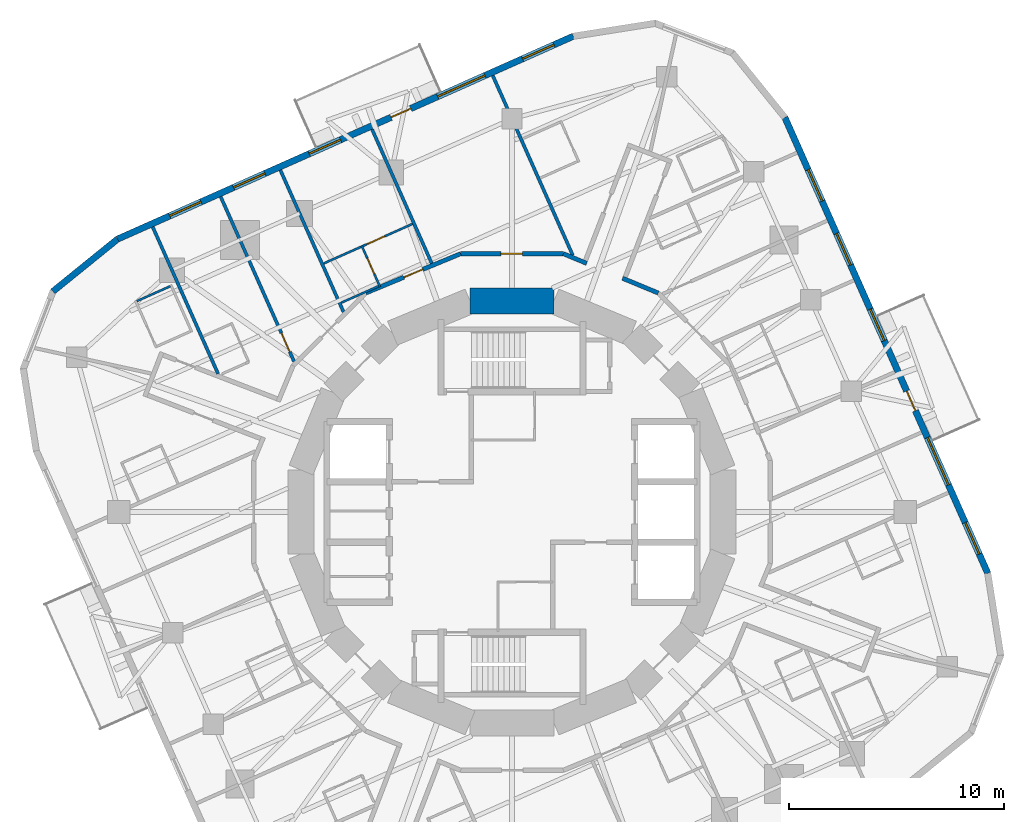
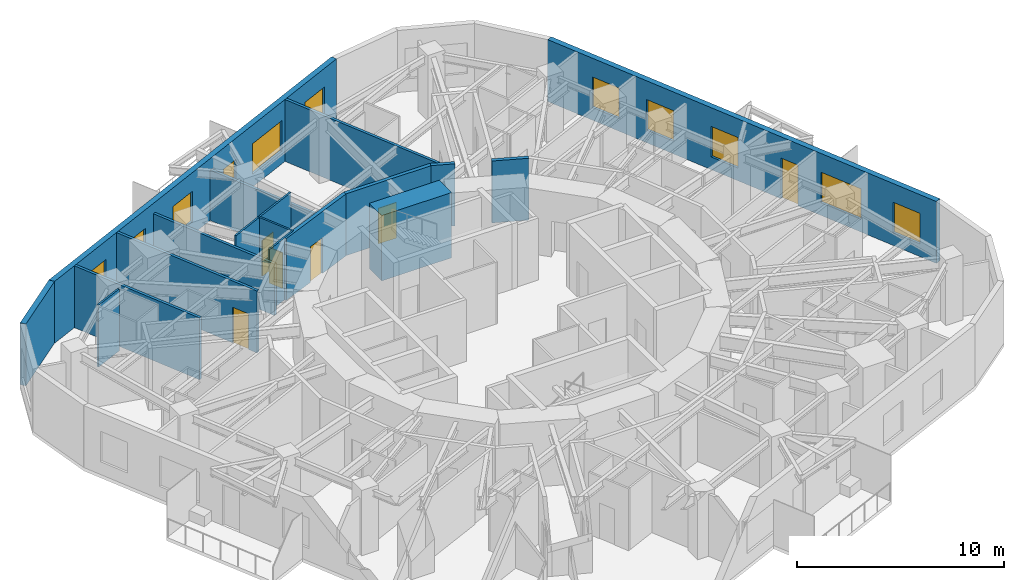
# One storey, part 9 of 12: 18 walls, 10 windows, 7 doors, 17 openings.
"""IFC4 building model written with IfcOpenShell, lengths in metres."""

import ifcopenshell
import ifcopenshell.guid

model = None  # the IFC model being written
_history = None  # IfcOwnerHistory: only IFC2X3 demands one
_inside = {}  # id of a spatial element -> (the spatial element, [elements in it])
_under = {}  # id of a project, library or spatial element -> (it, [spatial elements below it])
_declared = {}  # id of a project -> (the project, [libraries it declares])
_typed = {}  # id of a type object -> (the type object, [elements of that type])
_made_of = {}  # id of a material, layer set ... -> (it, [elements and type objects made of it])


def new_model(schema):
    """Start an empty IFC model of exactly this schema.

    Asked for "IFC4X3", IfcOpenShell would pick the latest addendum, in which some entities
    have other attributes; the version numbers below select the first issue.
    IFC2X3 requires an IfcOwnerHistory on every rooted entity: one is made here for all.
    """
    global model, _history
    if schema == "IFC4X3":
        model = ifcopenshell.file(schema_version=(4, 3, 0, 0))
    else:
        model = ifcopenshell.file(schema=schema)
    _inside.clear()
    _under.clear()
    _declared.clear()
    _typed.clear()
    _made_of.clear()
    _history = None
    if model.schema == "IFC2X3":
        org = make("IfcOrganization", Name="unknown")
        user = make(
            "IfcPersonAndOrganization",
            ThePerson=make("IfcPerson", FamilyName="unknown"),
            TheOrganization=org,
        )
        app = make(
            "IfcApplication",
            ApplicationDeveloper=org,
            Version="unknown",
            ApplicationFullName="unknown",
            ApplicationIdentifier="unknown",
        )
        _history = make(
            "IfcOwnerHistory",
            OwningUser=user,
            OwningApplication=app,
            ChangeAction="ADDED",
            CreationDate=0,
        )
    return model


def make(cls, **values):
    """One entity of the class cls with the attributes given. An attribute that is None is left unset."""
    return model.create_entity(
        cls, **{name: value for name, value in values.items() if value is not None}
    )


def rooted(cls, **values):
    """An entity with a GlobalId (a new one), such as an element, a storey or a relation."""
    return make(cls, GlobalId=ifcopenshell.guid.new(), OwnerHistory=_history, **values)


def si_unit(unit_type, name, prefix=None):
    """IfcSIUnit, for example si_unit("LENGTHUNIT", "METRE", prefix="MILLI")."""
    return make("IfcSIUnit", UnitType=unit_type, Prefix=prefix, Name=name)


def assignment(units):
    """IfcUnitAssignment: the units of a project."""
    return None if units is None else make("IfcUnitAssignment", Units=units)


def point(xyz):
    """IfcCartesianPoint."""
    return None if xyz is None else make("IfcCartesianPoint", Coordinates=xyz)


def direction(xyz):
    """IfcDirection."""
    return None if xyz is None else make("IfcDirection", DirectionRatios=xyz)


def frame(location, z_axis=None, x_axis=None):
    """IfcAxis2Placement3D, a coordinate frame: its origin and axes. An axis left out is left unset."""
    return make(
        "IfcAxis2Placement3D",
        Location=point(location),
        Axis=direction(z_axis),
        RefDirection=direction(x_axis),
    )


def frame_2d(location, x_axis=None):
    """IfcAxis2Placement2D, a coordinate frame in the plane: its origin and x axis."""
    return make(
        "IfcAxis2Placement2D", Location=point(location), RefDirection=direction(x_axis)
    )


def origin():
    """The frame at (0, 0, 0) with its axes left unset."""
    return frame((0.0, 0.0, 0.0))


def place(relative_to, where):
    """IfcLocalPlacement: puts the frame where relative to a parent placement (None: the world)."""
    return make(
        "IfcLocalPlacement", PlacementRelTo=relative_to, RelativePlacement=where
    )


def context(
    kind, dimensions, precision=None, world=None, true_north=None, identifier=None
):
    """IfcGeometricRepresentationContext, for example the 3D "Model" context."""
    return make(
        "IfcGeometricRepresentationContext",
        ContextIdentifier=identifier,
        ContextType=kind,
        CoordinateSpaceDimension=dimensions,
        Precision=precision,
        WorldCoordinateSystem=world,
        TrueNorth=true_north,
    )


def subcontext(parent, identifier, kind, view, scale=None):
    """IfcGeometricRepresentationSubContext, for example "Body" below "Model"."""
    return make(
        "IfcGeometricRepresentationSubContext",
        ContextIdentifier=identifier,
        ContextType=kind,
        ParentContext=parent,
        TargetScale=scale,
        TargetView=view,
    )


def project(units=None, contexts=None):
    """IfcProject with its units and contexts."""
    return rooted(
        "IfcProject",
        Name="project",
        RepresentationContexts=contexts,
        UnitsInContext=assignment(units),
    )


def spatial(cls, under=None, at=None, **own):
    """A site, building, storey or space (cls), placed at a placement, below another one or the project."""
    s = rooted(cls, ObjectPlacement=at, **own)
    if under is not None:
        _under.setdefault(under.id(), (under, []))[1].append(s)
    return s


def profile(cls, at=None, kind="AREA", **sizes):
    """A parametric profile (cls). Its sizes go by their IFC names, for example OverallWidth=200.0."""
    return make(cls, ProfileType=kind, Position=at, **sizes)


def rectangle(**sizes):
    """IfcRectangleProfileDef."""
    return profile("IfcRectangleProfileDef", **sizes)


def extrude(swept, where, along, depth):
    """IfcExtrudedAreaSolid: the profile swept, set in the frame where, extruded along a direction by depth."""
    return make(
        "IfcExtrudedAreaSolid",
        SweptArea=swept,
        Position=where,
        ExtrudedDirection=direction(along),
        Depth=depth,
    )


def shape(context_of_items, identifier, shape_type, items):
    """IfcShapeRepresentation: the items that make up one representation, for example the "Body"."""
    return make(
        "IfcShapeRepresentation",
        ContextOfItems=context_of_items,
        RepresentationIdentifier=identifier,
        RepresentationType=shape_type,
        Items=items,
    )


def material(Name=None, Category=None):
    """IfcMaterial."""
    return make("IfcMaterial", Name=Name, Category=Category)


def layer(
    of_material, thickness, ventilated=None, Name=None, Category=None, Priority=None
):
    """IfcMaterialLayer: one layer of a wall or slab, of a material (None: an air gap)."""
    return make(
        "IfcMaterialLayer",
        Material=of_material,
        LayerThickness=thickness,
        IsVentilated=ventilated,
        Name=Name,
        Category=Category,
        Priority=Priority,
    )


def layer_set(layers, Name=None):
    """IfcMaterialLayerSet."""
    return make("IfcMaterialLayerSet", MaterialLayers=layers, LayerSetName=Name)


def made_of(thing, what):
    """Note that an element or type object is made of a material, layer set ...; save() writes the relation."""
    if what is not None:
        _made_of.setdefault(what.id(), (what, []))[1].append(thing)
    return thing


def type_object(cls, material=None, **own):
    """A type object (cls), such as IfcWallType, which elements share."""
    return made_of(rooted(cls, **own), material)


def element(
    cls,
    number,
    at=None,
    inside=None,
    cuts=None,
    type_object=None,
    material=None,
    context=None,
    identifier="Body",
    shape_type=None,
    held_by="IfcProductDefinitionShape",
    body=None,
    shapes=None,
    **own,
):
    """One element of the class cls, such as IfcWall. Its Tag is "e" and its number.

    at: its placement. inside: the storey or other place that contains it. cuts: it is an
    opening in that element (IfcRelVoidsElement). A single representation is given by context,
    identifier, shape_type and body (its items); several are given by shapes. held_by: the class
    of the entity that holds the representations. save() writes the other relations.
    """
    e = rooted(cls, Tag="e%d" % number, ObjectPlacement=at, **own)
    if body is not None:
        shapes = [shape(context, identifier, shape_type, body)]
    if shapes is not None:
        e.Representation = make(held_by, Representations=shapes)
    if inside is not None:
        _inside.setdefault(inside.id(), (inside, []))[1].append(e)
    if cuts is not None:
        rooted(
            "IfcRelVoidsElement", RelatingBuildingElement=cuts, RelatedOpeningElement=e
        )
    if type_object is not None:
        _typed.setdefault(type_object.id(), (type_object, []))[1].append(e)
    return made_of(e, material)


def fill(opening, filler):
    """IfcRelFillsElement: the door or window that sits in an opening."""
    return rooted(
        "IfcRelFillsElement",
        RelatingOpeningElement=opening,
        RelatedBuildingElement=filler,
    )


def aggregate(whole, parts):
    """IfcRelAggregates: a whole, such as a stair, and the parts it consists of."""
    return rooted("IfcRelAggregates", RelatingObject=whole, RelatedObjects=parts)


def save(model, path):
    """Write the relations noted so far, then the file.

    IfcRelAggregates (storeys below a building ...), IfcRelContainedInSpatialStructure (elements
    in a storey), IfcRelDefinesByType, IfcRelAssociatesMaterial and IfcRelDeclares: one each for
    every whole, place, type object, material and project.
    """
    for whole, parts in _under.values():
        aggregate(whole, parts)
    for where, things in _inside.values():
        rooted(
            "IfcRelContainedInSpatialStructure",
            RelatedElements=things,
            RelatingStructure=where,
        )
    for kind, things in _typed.values():
        rooted("IfcRelDefinesByType", RelatedObjects=things, RelatingType=kind)
    for what, things in _made_of.values():
        rooted("IfcRelAssociatesMaterial", RelatedObjects=things, RelatingMaterial=what)
    for by, libraries in _declared.values():
        rooted("IfcRelDeclares", RelatingContext=by, RelatedDefinitions=libraries)
    model.write(path)


model = new_model("IFC4")

# Units and contexts
model_context = context("Model", 3, precision=1e-05, world=origin(), true_north=direction((0.0, 1.0)))
body_context = subcontext(model_context, "Body", "Model", "MODEL_VIEW")
ifc_project = project(units=[si_unit("LENGTHUNIT", "METRE"), si_unit("AREAUNIT", "SQUARE_METRE"), si_unit("VOLUMEUNIT", "CUBIC_METRE"), si_unit("PLANEANGLEUNIT", "RADIAN"), si_unit("MASSUNIT", "GRAM", prefix="KILO")], contexts=[model_context])

# Site, building, storey
site_placement = place(None, origin())
site = spatial("IfcSite", under=ifc_project, at=site_placement, CompositionType="ELEMENT")
building_placement = place(site_placement, origin())
building = spatial("IfcBuilding", under=site, at=building_placement, Name="Nakasero Lantern House", CompositionType="ELEMENT")
storey_placement = place(building_placement, frame((0.0, 0.0, 205.550048828125)))
storey = spatial("IfcBuildingStorey", under=building, at=storey_placement, Name="L50", CompositionType="ELEMENT", Elevation=205.550048828125)

# Wall
ifc_material_1 = material(Name="Concrete C50/60", Category="concrete")
ifc_layer_1 = layer(ifc_material_1, 1.199951171875)
ifc_layer_set_1 = layer_set([ifc_layer_1], Name="Core wall 1200")
wall_type_1 = type_object("IfcWallType", Name="Core wall 1200", PredefinedType="SHEAR", material=ifc_layer_set_1)
wall_1_placement = place(storey_placement, frame((1.950927734375, 9.807861328125, 0.0), z_axis=(0.0, 0.0, 1.0), x_axis=(-1.0, 0.0, 0.0)))
element("IfcWall", 1, at=wall_1_placement, inside=storey, type_object=wall_type_1, Name="Core wall L50 facet 4", PredefinedType="SHEAR", context=body_context, shape_type="SweptSolid", body=[
    extrude(rectangle(XDim=3.90185546875, YDim=1.199951171875, at=frame_2d((1.950927734375, 0.0))), origin(), (0.0, 0.0, 1.0), 3.849853515625),
])

# Wall, opening, door
ifc_material_2 = material(Name="Blockwork", Category="masonry")
ifc_layer_2 = layer(ifc_material_2, 0.199951171875)
ifc_layer_set_2 = layer_set([ifc_layer_2], Name="Corridor wall 200")
wall_type_2 = type_object("IfcWallType", Name="Corridor wall 200", PredefinedType="PARTITIONING", material=ifc_layer_set_2)
wall_2_placement = place(storey_placement, frame((-6.802001953125, 10.1796875, 0.0), z_axis=(0.0, 0.0, 1.0), x_axis=(0.923882292998, 0.382676767893, 0.0)))
wall_2 = element("IfcWall", 2, at=wall_2_placement, inside=storey, type_object=wall_type_2, Name="Corridor wall L50 RC11a", PredefinedType="PARTITIONING", context=body_context, shape_type="SweptSolid", body=[
    extrude(rectangle(XDim=4.777099609375, YDim=0.199951171875, at=frame_2d((2.388671875, 0.0))), origin(), (0.0, 0.0, 1.0), 3.64990234375),
])
opening_1_placement = place(wall_2_placement, frame((1.919921875, 0.0, 0.0)))
opening_1 = element("IfcOpeningElement", 3, at=opening_1_placement, cuts=wall_2, Name="Opening D01", PredefinedType="OPENING", context=body_context, shape_type="SweptSolid", body=[
    extrude(rectangle(XDim=0.949951171875, YDim=2.10009765625, at=frame_2d((0.47509765625, 1.050048828125))), frame((0.0, 0.119873046875, 0.0), z_axis=(0.0, -1.0, 0.0), x_axis=(1.0, 0.0, 0.0)), (0.0, 0.0, 1.0), 0.239990234375),
])
ifc_material_3 = material(Name="Timber C24", Category="wood")
door_type_1 = type_object("IfcDoorType", Name="Bedroom door FD30S 950", OperationType="SINGLE_SWING_LEFT", PredefinedType="DOOR", material=ifc_material_3)
door_1_placement = place(opening_1_placement, origin())
door_1 = element("IfcDoor", 4, at=door_1_placement, inside=storey, type_object=door_type_1, Name="Door L50 D1-03", OperationType="SINGLE_SWING_RIGHT", OverallHeight=2.10009765625, OverallWidth=0.949951171875, PredefinedType="DOOR", context=body_context, shape_type="SweptSolid", body=[
    extrude(rectangle(XDim=0.949951171875, YDim=2.10009765625, at=frame_2d((0.47509765625, 1.050048828125))), frame((0.0, 0.02490234375, 0.0), z_axis=(0.0, -1.0, 0.0), x_axis=(1.0, 0.0, 0.0)), (0.0, 0.0, 1.0), 0.050048828125),
])
fill(opening_1, door_1)

wall_3_placement = place(storey_placement, frame((-2.388427734375, 12.0078125, 0.0), z_axis=(0.0, 0.0, 1.0), x_axis=(1.0, 0.0, 0.0)))
wall_3 = element("IfcWall", 5, at=wall_3_placement, inside=storey, type_object=wall_type_2, Name="Corridor wall L50 RC12a", PredefinedType="PARTITIONING", context=body_context, shape_type="SweptSolid", body=[
    extrude(rectangle(XDim=4.77685546875, YDim=0.199951171875, at=frame_2d((2.388427734375, 0.0))), origin(), (0.0, 0.0, 1.0), 3.64990234375),
])
opening_2_placement = place(wall_3_placement, frame((1.8701171875, 0.0, 0.0)))
opening_2 = element("IfcOpeningElement", 6, at=opening_2_placement, cuts=wall_3, Name="Opening D03", PredefinedType="OPENING", context=body_context, shape_type="SweptSolid", body=[
    extrude(rectangle(XDim=1.0, YDim=2.10009765625, at=frame_2d((0.5, 1.050048828125))), frame((0.0, 0.119873046875, 0.0), z_axis=(0.0, -1.0, 0.0), x_axis=(1.0, 0.0, 0.0)), (0.0, 0.0, 1.0), 0.239990234375),
])
ifc_material_4 = material(Name="Timber C24", Category="wood")
door_type_2 = type_object("IfcDoorType", Name="Lounge door FD30S 1000", OperationType="SINGLE_SWING_LEFT", PredefinedType="DOOR", material=ifc_material_4)
door_2_placement = place(opening_2_placement, origin())
door_2 = element("IfcDoor", 7, at=door_2_placement, inside=storey, type_object=door_type_2, Name="Door L50 DK1", OperationType="SINGLE_SWING_LEFT", OverallHeight=2.10009765625, OverallWidth=1.0, PredefinedType="DOOR", context=body_context, shape_type="SweptSolid", body=[
    extrude(rectangle(XDim=1.0, YDim=2.10009765625, at=frame_2d((0.5, 1.050048828125))), frame((0.0, 0.02490234375, 0.0), z_axis=(0.0, -1.0, 0.0), x_axis=(1.0, 0.0, 0.0)), (0.0, 0.0, 1.0), 0.050048828125),
])
fill(opening_2, door_2)

# Walls
wall_4_placement = place(storey_placement, frame((2.388427734375, 12.0078125, 0.0), z_axis=(0.0, 0.0, 1.0), x_axis=(0.923874873612, -0.382694679749, 0.0)))
element("IfcWall", 8, at=wall_4_placement, inside=storey, type_object=wall_type_2, Name="Corridor wall L50 RC13a", PredefinedType="PARTITIONING", context=body_context, shape_type="SweptSolid", body=[
    extrude(rectangle(XDim=1.173828125, YDim=0.199951171875, at=frame_2d((0.5869140625, 0.0))), origin(), (0.0, 0.0, 1.0), 3.64990234375),
])
wall_5_placement = place(storey_placement, frame((5.136474609375, 10.86962890625, 0.0), z_axis=(0.0, 0.0, 1.0), x_axis=(0.923868276622, -0.382710605355, 0.0)))
element("IfcWall", 9, at=wall_5_placement, inside=storey, type_object=wall_type_2, Name="Corridor wall L50 RC13b", PredefinedType="PARTITIONING", context=body_context, shape_type="SweptSolid", body=[
    extrude(rectangle(XDim=1.802734375, YDim=0.199951171875, at=frame_2d((0.9013671875, 0.0))), origin(), (0.0, 0.0, 1.0), 3.64990234375),
])

# Wall, opening, door
ifc_material_5 = material(Name="Blockwork", Category="masonry")
ifc_layer_3 = layer(ifc_material_5, 0.10009765625)
ifc_layer_set_3 = layer_set([ifc_layer_3], Name="En-suite wall 100")
wall_type_3 = type_object("IfcWallType", Name="En-suite wall 100", PredefinedType="PARTITIONING", material=ifc_layer_set_3)
wall_6_placement = place(storey_placement, frame((-6.138916015625, 10.475341796875, 0.0), z_axis=(0.0, 0.0, 1.0), x_axis=(-0.406774771494, 0.913528480824, 0.0)))
wall_6 = element("IfcWall", 10, at=wall_6_placement, inside=storey, type_object=wall_type_3, Name="En-suite wall L50 ES1-03", PredefinedType="PARTITIONING", context=body_context, shape_type="SweptSolid", body=[
    extrude(rectangle(XDim=2.10009765625, YDim=0.10009765625, at=frame_2d((1.050048828125, 0.0))), origin(), (0.0, 0.0, 1.0), 3.64990234375),
])
opening_3_placement = place(wall_6_placement, frame((0.64990234375, 0.0, 0.0)))
opening_3 = element("IfcOpeningElement", 11, at=opening_3_placement, cuts=wall_6, Name="Opening D02", PredefinedType="OPENING", context=body_context, shape_type="SweptSolid", body=[
    extrude(rectangle(XDim=0.800048828125, YDim=2.10009765625, at=frame_2d((0.39990234375, 1.050048828125))), frame((0.0, 0.070068359375, 0.0), z_axis=(0.0, -1.0, 0.0), x_axis=(1.0, 0.0, 0.0)), (0.0, 0.0, 1.0), 0.14013671875),
])
ifc_material_6 = material(Name="Timber C24", Category="wood")
door_type_3 = type_object("IfcDoorType", Name="En-suite door 800", OperationType="SINGLE_SWING_RIGHT", PredefinedType="DOOR", material=ifc_material_6)
door_3_placement = place(opening_3_placement, origin())
door_3 = element("IfcDoor", 12, at=door_3_placement, inside=storey, type_object=door_type_3, Name="Door L50 DE1-03", OperationType="SINGLE_SWING_LEFT", OverallHeight=2.10009765625, OverallWidth=0.800048828125, PredefinedType="DOOR", context=body_context, shape_type="SweptSolid", body=[
    extrude(rectangle(XDim=0.800048828125, YDim=2.10009765625, at=frame_2d((0.39990234375, 1.050048828125))), frame((0.0, 0.02490234375, 0.0), z_axis=(0.0, -1.0, 0.0), x_axis=(1.0, 0.0, 0.0)), (0.0, 0.0, 1.0), 0.050048828125),
])
fill(opening_3, door_3)

# Walls
for number, where, z_axis, x_axis, name in (
    (13, (-7.0185546875, 12.327880859375, 0.0), (0.0, 0.0, 1.0), (-0.913551699523, -0.406722623293, 0.0), "En-suite wall L50 EE1-03"),
    (14, (-6.205078125, 10.500732421875, 0.0), (0.0, 0.0, 1.0), (-0.913551699523, -0.406722623293, 0.0), "En-suite wall L50 EI1-03"),
):
    element("IfcWall", number, at=place(storey_placement, frame(where, z_axis=z_axis, x_axis=x_axis)), inside=storey, type_object=wall_type_3, Name=name, PredefinedType="PARTITIONING", context=body_context, shape_type="SweptSolid", body=[
        extrude(rectangle(XDim=1.89990234375, YDim=0.10009765625, at=frame_2d((0.949951171875, 0.0))), origin(), (0.0, 0.0, 1.0), 3.64990234375),
    ])
wall_7_placement = place(storey_placement, frame((-15.88720703125, 10.495849609375, 0.0), z_axis=(0.0, 0.0, 1.0), x_axis=(-0.913550776237, -0.406724697108, 0.0)))
element("IfcWall", 15, at=wall_7_placement, inside=storey, type_object=wall_type_3, Name="En-suite wall L50 EE1-06", PredefinedType="PARTITIONING", context=body_context, shape_type="SweptSolid", body=[
    extrude(rectangle(XDim=1.699951171875, YDim=0.10009765625, at=frame_2d((0.85009765625, 0.0))), origin(), (0.0, 0.0, 1.0), 3.64990234375),
])

# Wall, opening, door
wall_8_placement = place(storey_placement, frame((-4.629150390625, 13.3916015625, 0.0), z_axis=(0.0, 0.0, 1.0), x_axis=(-0.913563215259, -0.406696756474, 0.0)))
wall_8 = element("IfcWall", 16, at=wall_8_placement, inside=storey, type_object=wall_type_3, Name="En-suite wall L50 EL1-03", PredefinedType="PARTITIONING", context=body_context, shape_type="SweptSolid", body=[
    extrude(rectangle(XDim=2.515380859375, YDim=0.10009765625, at=frame_2d((1.2578125, 0.0))), origin(), (0.0, 0.0, 1.0), 3.64990234375),
])
opening_4_placement = place(wall_8_placement, frame((1.415283203125, 0.0, 0.0)))
opening_4 = element("IfcOpeningElement", 17, at=opening_4_placement, cuts=wall_8, Name="Opening D17", PredefinedType="OPENING", context=body_context, shape_type="SweptSolid", body=[
    extrude(rectangle(XDim=0.89990234375, YDim=2.10009765625, at=frame_2d((0.449951171875, 1.050048828125))), frame((0.0, 0.070068359375, 0.0), z_axis=(0.0, -1.0, 0.0), x_axis=(1.0, 0.0, 0.0)), (0.0, 0.0, 1.0), 0.14013671875),
])
ifc_material_7 = material(Name="Timber C24", Category="wood")
door_type_4 = type_object("IfcDoorType", Name="Bedroom door FD30S 900", OperationType="SINGLE_SWING_LEFT", PredefinedType="DOOR", material=ifc_material_7)
door_4_placement = place(opening_4_placement, origin())
door_4 = element("IfcDoor", 18, at=door_4_placement, inside=storey, type_object=door_type_4, Name="Door L50 DL1-03", OperationType="SINGLE_SWING_RIGHT", OverallHeight=2.10009765625, OverallWidth=0.89990234375, PredefinedType="DOOR", context=body_context, shape_type="SweptSolid", body=[
    extrude(rectangle(XDim=0.89990234375, YDim=2.10009765625, at=frame_2d((0.449951171875, 1.050048828125))), frame((0.0, 0.02490234375, 0.0), z_axis=(0.0, -1.0, 0.0), x_axis=(1.0, 0.0, 0.0)), (0.0, 0.0, 1.0), 0.050048828125),
])
fill(opening_4, door_4)

# Wall, openings, door, windows
ifc_material_8 = material(Name="Aluminium rainscreen on blockwork", Category="masonry")
ifc_layer_4 = layer(ifc_material_8, 0.300048828125)
ifc_layer_set_4 = layer_set([ifc_layer_4], Name="Facade wall 300")
wall_type_4 = type_object("IfcWallType", Name="Facade wall 300", PredefinedType="SOLIDWALL", material=ifc_layer_set_4)
wall_9_placement = place(storey_placement, frame((22.12109375, -2.848876953125, 0.0), z_axis=(0.0, 0.0, 1.0), x_axis=(-0.406734951338, 0.913546210851, 0.0)))
wall_9 = element("IfcWall", 19, at=wall_9_placement, inside=storey, type_object=wall_type_4, Name="Facade wall L50 FW0S", PredefinedType="SOLIDWALL", context=body_context, shape_type="SweptSolid", body=[
    extrude(rectangle(XDim=23.199951171875, YDim=0.300048828125, at=frame_2d((11.60009765625, 0.0))), origin(), (0.0, 0.0, 1.0), 3.64990234375),
])
opening_5_placement = place(wall_9_placement, frame((0.982421875, 0.0, 0.75)))
opening_5 = element("IfcOpeningElement", 20, at=opening_5_placement, cuts=wall_9, Name="Opening W01", PredefinedType="OPENING", context=body_context, shape_type="SweptSolid", body=[
    extrude(rectangle(XDim=1.60009765625, YDim=1.800048828125, at=frame_2d((0.800048828125, 0.89990234375))), frame((0.0, 0.169921875, 0.0), z_axis=(0.0, -1.0, 0.0), x_axis=(1.0, 0.0, 0.0)), (0.0, 0.0, 1.0), 0.340087890625),
])
opening_6_placement = place(wall_9_placement, frame((11.83984375, 0.0, 0.75)))
opening_6 = element("IfcOpeningElement", 21, at=opening_6_placement, cuts=wall_9, Name="Opening W01", PredefinedType="OPENING", context=body_context, shape_type="SweptSolid", body=[
    extrude(rectangle(XDim=1.60009765625, YDim=1.800048828125, at=frame_2d((0.800048828125, 0.89990234375))), frame((0.0, 0.169921875, 0.0), z_axis=(0.0, -1.0, 0.0), x_axis=(1.0, 0.0, 0.0)), (0.0, 0.0, 1.0), 0.340087890625),
])
opening_7_placement = place(wall_9_placement, frame((15.69140625, 0.0, 0.75)))
opening_7 = element("IfcOpeningElement", 22, at=opening_7_placement, cuts=wall_9, Name="Opening W01", PredefinedType="OPENING", context=body_context, shape_type="SweptSolid", body=[
    extrude(rectangle(XDim=1.60009765625, YDim=1.800048828125, at=frame_2d((0.800048828125, 0.89990234375))), frame((0.0, 0.169921875, 0.0), z_axis=(0.0, -1.0, 0.0), x_axis=(1.0, 0.0, 0.0)), (0.0, 0.0, 1.0), 0.340087890625),
])
opening_8_placement = place(wall_9_placement, frame((18.940185546875, 0.0, 0.75)))
opening_8 = element("IfcOpeningElement", 23, at=opening_8_placement, cuts=wall_9, Name="Opening W01", PredefinedType="OPENING", context=body_context, shape_type="SweptSolid", body=[
    extrude(rectangle(XDim=1.60009765625, YDim=1.800048828125, at=frame_2d((0.800048828125, 0.89990234375))), frame((0.0, 0.169921875, 0.0), z_axis=(0.0, -1.0, 0.0), x_axis=(1.0, 0.0, 0.0)), (0.0, 0.0, 1.0), 0.340087890625),
])
opening_9_placement = place(wall_9_placement, frame((4.500244140625, 0.0, 0.75)))
opening_9 = element("IfcOpeningElement", 24, at=opening_9_placement, cuts=wall_9, Name="Opening W03", PredefinedType="OPENING", context=body_context, shape_type="SweptSolid", body=[
    extrude(rectangle(XDim=2.39990234375, YDim=1.800048828125, at=frame_2d((1.199951171875, 0.89990234375))), frame((0.0, 0.169921875, 0.0), z_axis=(0.0, -1.0, 0.0), x_axis=(1.0, 0.0, 0.0)), (0.0, 0.0, 1.0), 0.340087890625),
])
opening_10_placement = place(wall_9_placement, frame((8.271484375, 0.0, 0.0)))
opening_10 = element("IfcOpeningElement", 25, at=opening_10_placement, cuts=wall_9, Name="Opening D04", PredefinedType="OPENING", context=body_context, shape_type="SweptSolid", body=[
    extrude(rectangle(XDim=1.0, YDim=2.39990234375, at=frame_2d((0.5, 1.199951171875))), frame((0.0, 0.169921875, 0.0), z_axis=(0.0, -1.0, 0.0), x_axis=(1.0, 0.0, 0.0)), (0.0, 0.0, 1.0), 0.340087890625),
])
ifc_material_9 = material(Name="Aluminium 6063-T6 and glass", Category="aluminium")
door_type_5 = type_object("IfcDoorType", Name="Balcony door 1000x2400", OperationType="SINGLE_SWING_RIGHT", PredefinedType="DOOR", material=ifc_material_9)
door_5_placement = place(opening_10_placement, origin())
door_5 = element("IfcDoor", 26, at=door_5_placement, inside=storey, type_object=door_type_5, Name="Balcony door L50 DB0", OperationType="SINGLE_SWING_RIGHT", OverallHeight=2.39990234375, OverallWidth=1.0, PredefinedType="DOOR", context=body_context, shape_type="SweptSolid", body=[
    extrude(rectangle(XDim=1.0, YDim=2.39990234375, at=frame_2d((0.5, 1.199951171875))), frame((0.0, 0.02490234375, 0.0), z_axis=(0.0, -1.0, 0.0), x_axis=(1.0, 0.0, 0.0)), (0.0, 0.0, 1.0), 0.050048828125),
])
fill(opening_10, door_5)
ifc_material_10 = material(Name="Aluminium 6063-T6 and glass", Category="aluminium")
window_type_1 = type_object("IfcWindowType", Name="Bedroom window 1600x1800", PartitioningType="SINGLE_PANEL", PredefinedType="WINDOW", material=ifc_material_10)
window_1_placement = place(opening_5_placement, origin())
window_1 = element("IfcWindow", 27, at=window_1_placement, inside=storey, type_object=window_type_1, Name="Window L50 WN0-00", OverallHeight=1.800048828125, OverallWidth=1.60009765625, PartitioningType="SINGLE_PANEL", PredefinedType="WINDOW", context=body_context, shape_type="SweptSolid", body=[
    extrude(rectangle(XDim=1.60009765625, YDim=1.800048828125, at=frame_2d((0.800048828125, 0.89990234375))), frame((0.0, 0.030029296875, 0.0), z_axis=(0.0, -1.0, 0.0), x_axis=(1.0, 0.0, 0.0)), (0.0, 0.0, 1.0), 0.06005859375),
])
fill(opening_5, window_1)
window_2_placement = place(opening_6_placement, origin())
window_2 = element("IfcWindow", 28, at=window_2_placement, inside=storey, type_object=window_type_1, Name="Window L50 WN0-03", OverallHeight=1.800048828125, OverallWidth=1.60009765625, PartitioningType="SINGLE_PANEL", PredefinedType="WINDOW", context=body_context, shape_type="SweptSolid", body=[
    extrude(rectangle(XDim=1.60009765625, YDim=1.800048828125, at=frame_2d((0.800048828125, 0.89990234375))), frame((0.0, 0.030029296875, 0.0), z_axis=(0.0, -1.0, 0.0), x_axis=(1.0, 0.0, 0.0)), (0.0, 0.0, 1.0), 0.06005859375),
])
fill(opening_6, window_2)
window_3_placement = place(opening_7_placement, origin())
window_3 = element("IfcWindow", 29, at=window_3_placement, inside=storey, type_object=window_type_1, Name="Window L50 WN0-04", OverallHeight=1.800048828125, OverallWidth=1.60009765625, PartitioningType="SINGLE_PANEL", PredefinedType="WINDOW", context=body_context, shape_type="SweptSolid", body=[
    extrude(rectangle(XDim=1.60009765625, YDim=1.800048828125, at=frame_2d((0.800048828125, 0.89990234375))), frame((0.0, 0.030029296875, 0.0), z_axis=(0.0, -1.0, 0.0), x_axis=(1.0, 0.0, 0.0)), (0.0, 0.0, 1.0), 0.06005859375),
])
fill(opening_7, window_3)
window_4_placement = place(opening_8_placement, origin())
window_4 = element("IfcWindow", 30, at=window_4_placement, inside=storey, type_object=window_type_1, Name="Window L50 WN0-05", OverallHeight=1.800048828125, OverallWidth=1.60009765625, PartitioningType="SINGLE_PANEL", PredefinedType="WINDOW", context=body_context, shape_type="SweptSolid", body=[
    extrude(rectangle(XDim=1.60009765625, YDim=1.800048828125, at=frame_2d((0.800048828125, 0.89990234375))), frame((0.0, 0.030029296875, 0.0), z_axis=(0.0, -1.0, 0.0), x_axis=(1.0, 0.0, 0.0)), (0.0, 0.0, 1.0), 0.06005859375),
])
fill(opening_8, window_4)
ifc_material_11 = material(Name="Aluminium 6063-T6 and glass", Category="aluminium")
window_type_2 = type_object("IfcWindowType", Name="Lounge window 2400x1800", PartitioningType="SINGLE_PANEL", PredefinedType="WINDOW", material=ifc_material_11)
window_5_placement = place(opening_9_placement, origin())
window_5 = element("IfcWindow", 31, at=window_5_placement, inside=storey, type_object=window_type_2, Name="Window L50 WK0", OverallHeight=1.800048828125, OverallWidth=2.39990234375, PartitioningType="SINGLE_PANEL", PredefinedType="WINDOW", context=body_context, shape_type="SweptSolid", body=[
    extrude(rectangle(XDim=2.39990234375, YDim=1.800048828125, at=frame_2d((1.199951171875, 0.89990234375))), frame((0.0, 0.030029296875, 0.0), z_axis=(0.0, -1.0, 0.0), x_axis=(1.0, 0.0, 0.0)), (0.0, 0.0, 1.0), 0.06005859375),
])
fill(opening_9, window_5)

wall_10_placement = place(storey_placement, frame((2.848876953125, 22.12109375, 0.0), z_axis=(0.0, 0.0, 1.0), x_axis=(-0.913546210851, -0.406734951338, 0.0)))
wall_10 = element("IfcWall", 32, at=wall_10_placement, inside=storey, type_object=wall_type_4, Name="Facade wall L50 FW1S", PredefinedType="SOLIDWALL", context=body_context, shape_type="SweptSolid", body=[
    extrude(rectangle(XDim=23.199951171875, YDim=0.300048828125, at=frame_2d((11.60009765625, 0.0))), origin(), (0.0, 0.0, 1.0), 3.64990234375),
])
opening_11_placement = place(wall_10_placement, frame((0.982421875, 0.0, 0.75)))
opening_11 = element("IfcOpeningElement", 33, at=opening_11_placement, cuts=wall_10, Name="Opening W01", PredefinedType="OPENING", context=body_context, shape_type="SweptSolid", body=[
    extrude(rectangle(XDim=1.60009765625, YDim=1.800048828125, at=frame_2d((0.800048828125, 0.89990234375))), frame((0.0, 0.169921875, 0.0), z_axis=(0.0, -1.0, 0.0), x_axis=(1.0, 0.0, 0.0)), (0.0, 0.0, 1.0), 0.340087890625),
])
opening_12_placement = place(wall_10_placement, frame((11.83984375, 0.0, 0.75)))
opening_12 = element("IfcOpeningElement", 34, at=opening_12_placement, cuts=wall_10, Name="Opening W01", PredefinedType="OPENING", context=body_context, shape_type="SweptSolid", body=[
    extrude(rectangle(XDim=1.60009765625, YDim=1.800048828125, at=frame_2d((0.800048828125, 0.89990234375))), frame((0.0, 0.169921875, 0.0), z_axis=(0.0, -1.0, 0.0), x_axis=(1.0, 0.0, 0.0)), (0.0, 0.0, 1.0), 0.340087890625),
])
opening_13_placement = place(wall_10_placement, frame((15.69140625, 0.0, 0.75)))
opening_13 = element("IfcOpeningElement", 35, at=opening_13_placement, cuts=wall_10, Name="Opening W01", PredefinedType="OPENING", context=body_context, shape_type="SweptSolid", body=[
    extrude(rectangle(XDim=1.60009765625, YDim=1.800048828125, at=frame_2d((0.800048828125, 0.89990234375))), frame((0.0, 0.169921875, 0.0), z_axis=(0.0, -1.0, 0.0), x_axis=(1.0, 0.0, 0.0)), (0.0, 0.0, 1.0), 0.340087890625),
])
opening_14_placement = place(wall_10_placement, frame((18.940185546875, 0.0, 0.75)))
opening_14 = element("IfcOpeningElement", 36, at=opening_14_placement, cuts=wall_10, Name="Opening W01", PredefinedType="OPENING", context=body_context, shape_type="SweptSolid", body=[
    extrude(rectangle(XDim=1.60009765625, YDim=1.800048828125, at=frame_2d((0.800048828125, 0.89990234375))), frame((0.0, 0.169921875, 0.0), z_axis=(0.0, -1.0, 0.0), x_axis=(1.0, 0.0, 0.0)), (0.0, 0.0, 1.0), 0.340087890625),
])
opening_15_placement = place(wall_10_placement, frame((4.500244140625, 0.0, 0.75)))
opening_15 = element("IfcOpeningElement", 37, at=opening_15_placement, cuts=wall_10, Name="Opening W03", PredefinedType="OPENING", context=body_context, shape_type="SweptSolid", body=[
    extrude(rectangle(XDim=2.39990234375, YDim=1.800048828125, at=frame_2d((1.199951171875, 0.89990234375))), frame((0.0, 0.169921875, 0.0), z_axis=(0.0, -1.0, 0.0), x_axis=(1.0, 0.0, 0.0)), (0.0, 0.0, 1.0), 0.340087890625),
])
opening_16_placement = place(wall_10_placement, frame((8.271484375, 0.0, 0.0)))
opening_16 = element("IfcOpeningElement", 38, at=opening_16_placement, cuts=wall_10, Name="Opening D04", PredefinedType="OPENING", context=body_context, shape_type="SweptSolid", body=[
    extrude(rectangle(XDim=1.0, YDim=2.39990234375, at=frame_2d((0.5, 1.199951171875))), frame((0.0, 0.169921875, 0.0), z_axis=(0.0, -1.0, 0.0), x_axis=(1.0, 0.0, 0.0)), (0.0, 0.0, 1.0), 0.340087890625),
])
door_6_placement = place(opening_16_placement, origin())
door_6 = element("IfcDoor", 39, at=door_6_placement, inside=storey, type_object=door_type_5, Name="Balcony door L50 DB1", OperationType="SINGLE_SWING_RIGHT", OverallHeight=2.39990234375, OverallWidth=1.0, PredefinedType="DOOR", context=body_context, shape_type="SweptSolid", body=[
    extrude(rectangle(XDim=1.0, YDim=2.39990234375, at=frame_2d((0.5, 1.199951171875))), frame((0.0, 0.02490234375, 0.0), z_axis=(0.0, -1.0, 0.0), x_axis=(1.0, 0.0, 0.0)), (0.0, 0.0, 1.0), 0.050048828125),
])
fill(opening_16, door_6)
window_6_placement = place(opening_11_placement, origin())
window_6 = element("IfcWindow", 40, at=window_6_placement, inside=storey, type_object=window_type_1, Name="Window L50 WN1-00", OverallHeight=1.800048828125, OverallWidth=1.60009765625, PartitioningType="SINGLE_PANEL", PredefinedType="WINDOW", context=body_context, shape_type="SweptSolid", body=[
    extrude(rectangle(XDim=1.60009765625, YDim=1.800048828125, at=frame_2d((0.800048828125, 0.89990234375))), frame((0.0, 0.030029296875, 0.0), z_axis=(0.0, -1.0, 0.0), x_axis=(1.0, 0.0, 0.0)), (0.0, 0.0, 1.0), 0.06005859375),
])
fill(opening_11, window_6)
window_7_placement = place(opening_12_placement, origin())
window_7 = element("IfcWindow", 41, at=window_7_placement, inside=storey, type_object=window_type_1, Name="Window L50 WN1-03", OverallHeight=1.800048828125, OverallWidth=1.60009765625, PartitioningType="SINGLE_PANEL", PredefinedType="WINDOW", context=body_context, shape_type="SweptSolid", body=[
    extrude(rectangle(XDim=1.60009765625, YDim=1.800048828125, at=frame_2d((0.800048828125, 0.89990234375))), frame((0.0, 0.030029296875, 0.0), z_axis=(0.0, -1.0, 0.0), x_axis=(1.0, 0.0, 0.0)), (0.0, 0.0, 1.0), 0.06005859375),
])
fill(opening_12, window_7)
window_8_placement = place(opening_13_placement, origin())
window_8 = element("IfcWindow", 42, at=window_8_placement, inside=storey, type_object=window_type_1, Name="Window L50 WN1-04", OverallHeight=1.800048828125, OverallWidth=1.60009765625, PartitioningType="SINGLE_PANEL", PredefinedType="WINDOW", context=body_context, shape_type="SweptSolid", body=[
    extrude(rectangle(XDim=1.60009765625, YDim=1.800048828125, at=frame_2d((0.800048828125, 0.89990234375))), frame((0.0, 0.030029296875, 0.0), z_axis=(0.0, -1.0, 0.0), x_axis=(1.0, 0.0, 0.0)), (0.0, 0.0, 1.0), 0.06005859375),
])
fill(opening_13, window_8)
window_9_placement = place(opening_14_placement, origin())
window_9 = element("IfcWindow", 43, at=window_9_placement, inside=storey, type_object=window_type_1, Name="Window L50 WN1-05", OverallHeight=1.800048828125, OverallWidth=1.60009765625, PartitioningType="SINGLE_PANEL", PredefinedType="WINDOW", context=body_context, shape_type="SweptSolid", body=[
    extrude(rectangle(XDim=1.60009765625, YDim=1.800048828125, at=frame_2d((0.800048828125, 0.89990234375))), frame((0.0, 0.030029296875, 0.0), z_axis=(0.0, -1.0, 0.0), x_axis=(1.0, 0.0, 0.0)), (0.0, 0.0, 1.0), 0.06005859375),
])
fill(opening_14, window_9)
window_10_placement = place(opening_15_placement, origin())
window_10 = element("IfcWindow", 44, at=window_10_placement, inside=storey, type_object=window_type_2, Name="Window L50 WK1", OverallHeight=1.800048828125, OverallWidth=2.39990234375, PartitioningType="SINGLE_PANEL", PredefinedType="WINDOW", context=body_context, shape_type="SweptSolid", body=[
    extrude(rectangle(XDim=2.39990234375, YDim=1.800048828125, at=frame_2d((1.199951171875, 0.89990234375))), frame((0.0, 0.030029296875, 0.0), z_axis=(0.0, -1.0, 0.0), x_axis=(1.0, 0.0, 0.0)), (0.0, 0.0, 1.0), 0.06005859375),
])
fill(opening_15, window_10)

# Walls
wall_11_placement = place(storey_placement, frame((-18.345458984375, 12.684814453125, 0.0), z_axis=(0.0, 0.0, 1.0), x_axis=(-0.777174099125, -0.629285642335, 0.0)))
element("IfcWall", 45, at=wall_11_placement, inside=storey, type_object=wall_type_4, Name="Facade wall L50 FW1C1", PredefinedType="SOLIDWALL", context=body_context, shape_type="SweptSolid", body=[
    extrude(rectangle(XDim=3.8564453125, YDim=0.300048828125, at=frame_2d((1.92822265625, 0.0))), origin(), (0.0, 0.0, 1.0), 3.64990234375),
])
ifc_material_12 = material(Name="Blockwork", Category="masonry")
ifc_layer_5 = layer(ifc_material_12, 0.14990234375)
ifc_layer_set_5 = layer_set([ifc_layer_5], Name="Party wall 150")
wall_type_5 = type_object("IfcWallType", Name="Party wall 150", PredefinedType="PARTITIONING", material=ifc_layer_set_5)
wall_12_placement = place(storey_placement, frame((2.824951171875, 11.935302734375, 0.0), z_axis=(0.0, 0.0, 1.0), x_axis=(-0.40672291788, 0.91355156837, 0.0)))
element("IfcWall", 46, at=wall_12_placement, inside=storey, type_object=wall_type_5, Name="Party wall L50 PW1-01", PredefinedType="PARTITIONING", context=body_context, shape_type="SweptSolid", body=[
    extrude(rectangle(XDim=9.1455078125, YDim=0.14990234375, at=frame_2d((4.57275390625, 0.0))), origin(), (0.0, 0.0, 1.0), 3.64990234375),
])
wall_13_placement = place(storey_placement, frame((-3.7314453125, 11.559814453125, 0.0), z_axis=(0.0, 0.0, 1.0), x_axis=(-0.406739408224, 0.913544226514, 0.0)))
element("IfcWall", 47, at=wall_13_placement, inside=storey, type_object=wall_type_5, Name="Party wall L50 PW1-03", PredefinedType="PARTITIONING", context=body_context, shape_type="SweptSolid", body=[
    extrude(rectangle(XDim=6.82177734375, YDim=0.14990234375, at=frame_2d((3.410888671875, 0.0))), origin(), (0.0, 0.0, 1.0), 2.966552734375),
])
wall_14_placement = place(storey_placement, frame((-7.829345703125, 9.293701171875, 0.0), z_axis=(0.0, 0.0, 1.0), x_axis=(-0.406759125496, 0.913535447493, 0.0)))
element("IfcWall", 48, at=wall_14_placement, inside=storey, type_object=wall_type_5, Name="Party wall L50 PW1-04", PredefinedType="PARTITIONING", context=body_context, shape_type="SweptSolid", body=[
    extrude(rectangle(XDim=7.225341796875, YDim=0.14990234375, at=frame_2d((3.61279296875, 0.0))), origin(), (0.0, 0.0, 1.0), 3.037841796875),
])

# Wall, opening, door
wall_15_placement = place(storey_placement, frame((-10.130615234375, 6.99267578125, 0.0), z_axis=(0.0, 0.0, 1.0), x_axis=(-0.406732255089, 0.913547411288, 0.0)))
wall_15 = element("IfcWall", 49, at=wall_15_placement, inside=storey, type_object=wall_type_5, Name="Party wall L50 PW1-05", PredefinedType="PARTITIONING", context=body_context, shape_type="SweptSolid", body=[
    extrude(rectangle(XDim=8.3916015625, YDim=0.14990234375, at=frame_2d((4.19580078125, 0.0))), origin(), (0.0, 0.0, 1.0), 3.64990234375),
])
opening_17_placement = place(wall_15_placement, frame((0.5, 0.0, 0.0)))
opening_17 = element("IfcOpeningElement", 50, at=opening_17_placement, cuts=wall_15, Name="Opening D01", PredefinedType="OPENING", context=body_context, shape_type="SweptSolid", body=[
    extrude(rectangle(XDim=0.949951171875, YDim=2.10009765625, at=frame_2d((0.47509765625, 1.050048828125))), frame((0.0, 0.094970703125, 0.0), z_axis=(0.0, -1.0, 0.0), x_axis=(1.0, 0.0, 0.0)), (0.0, 0.0, 1.0), 0.18994140625),
])
door_7_placement = place(opening_17_placement, origin())
door_7 = element("IfcDoor", 51, at=door_7_placement, inside=storey, type_object=door_type_1, Name="Door L50 DS1-05", OperationType="SINGLE_SWING_LEFT", OverallHeight=2.10009765625, OverallWidth=0.949951171875, PredefinedType="DOOR", context=body_context, shape_type="SweptSolid", body=[
    extrude(rectangle(XDim=0.949951171875, YDim=2.10009765625, at=frame_2d((0.47509765625, 1.050048828125))), frame((0.0, 0.02490234375, 0.0), z_axis=(0.0, -1.0, 0.0), x_axis=(1.0, 0.0, 0.0)), (0.0, 0.0, 1.0), 0.050048828125),
])
fill(opening_17, door_7)

# Wall
wall_16_placement = place(storey_placement, frame((-13.663330078125, 6.423095703125, 0.0), z_axis=(0.0, 0.0, 1.0), x_axis=(-0.406735380252, 0.913546019887, 0.0)))
element("IfcWall", 52, at=wall_16_placement, inside=storey, type_object=wall_type_5, Name="Party wall L50 PW1-06", PredefinedType="PARTITIONING", context=body_context, shape_type="SweptSolid", body=[
    extrude(rectangle(XDim=7.474853515625, YDim=0.14990234375, at=frame_2d((3.7373046875, 0.0))), origin(), (0.0, 0.0, 1.0), 3.64990234375),
])

save(model, "model.ifc")
